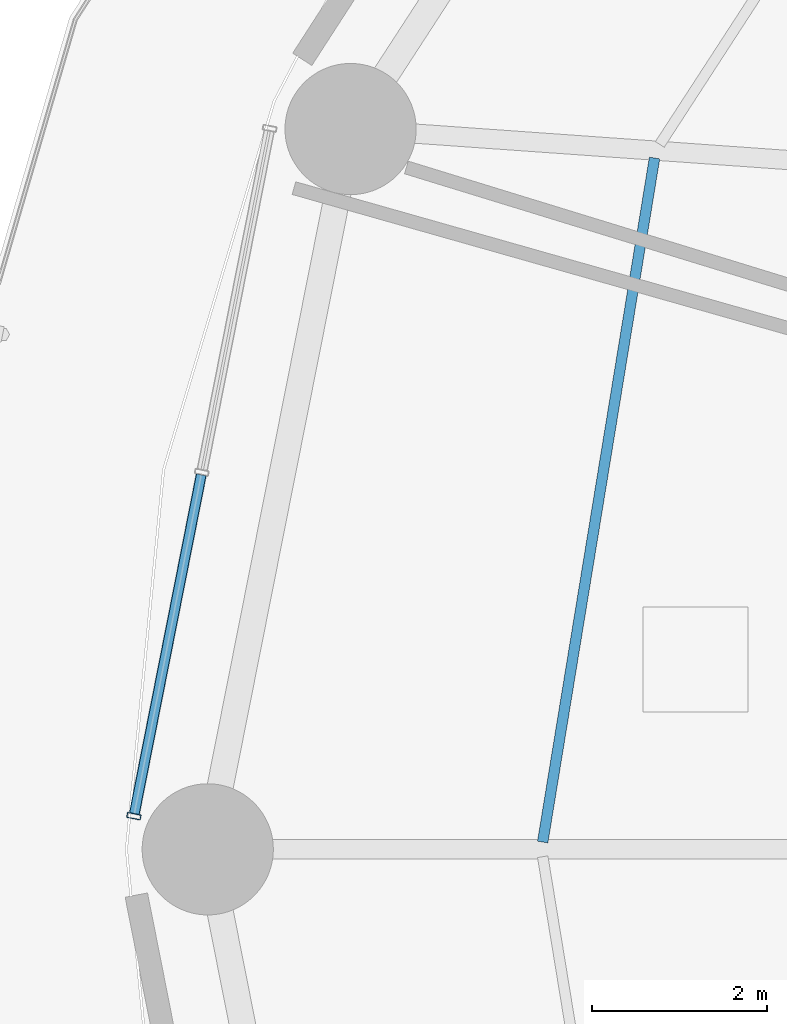
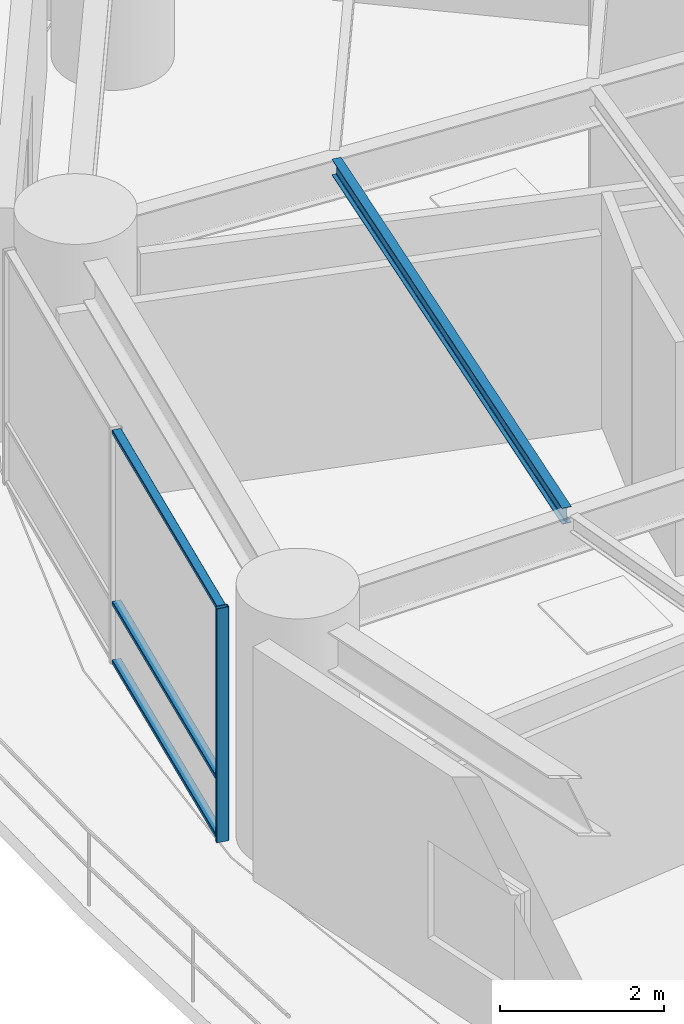
# One storey, part 6 of 32: 4 members, 1 beam, 1 element without a shape of its own.
"""IFC4 building model written with IfcOpenShell, lengths in metres."""

from ifc_helpers import new_model, si_unit, direction, frame, origin, origin_2d, place, context, subcontext, project, spatial, hollow_rectangle, i_section, extrude, material, layer, layer_set, material_profile, profile_set, type_object, element, aggregate, save


model = new_model("IFC4")

# Units and contexts
model_context = context("Model", 3, precision=1e-05, world=origin(), true_north=direction((0.0, 1.0)))
body_context = subcontext(model_context, "Body", "Model", "MODEL_VIEW")
ifc_project = project(units=[si_unit("LENGTHUNIT", "METRE"), si_unit("AREAUNIT", "SQUARE_METRE"), si_unit("VOLUMEUNIT", "CUBIC_METRE"), si_unit("PLANEANGLEUNIT", "RADIAN"), si_unit("MASSUNIT", "GRAM", prefix="KILO")], contexts=[model_context])

# Site, building, storey
site_placement = place(None, origin())
site = spatial("IfcSite", under=ifc_project, at=site_placement, CompositionType="ELEMENT")
building_placement = place(site_placement, origin())
building = spatial("IfcBuilding", under=site, at=building_placement, Name="Kelanora Arch Commons", CompositionType="ELEMENT")
storey_placement = place(building_placement, frame((0.0, 0.0, 48.75)))
storey = spatial("IfcBuildingStorey", under=building, at=storey_placement, Name="L12", CompositionType="ELEMENT", Elevation=48.75)

# Beam
ifc_material_1 = material(Name="Steel S355", Category="steel")
ifc_material_profile_1 = material_profile(ifc_material_1, i_section(OverallWidth=0.1201171875, OverallDepth=0.239990234375, WebThickness=0.006103515625, FlangeThickness=0.009765625, FilletRadius=0.014892578125, at=origin_2d()), Name="IPE240")
ifc_profile_set_1 = profile_set([ifc_material_profile_1], Name="Steel S355")
beam_type = type_object("IfcBeamType", Name="BM-JST-02", PredefinedType="JOIST", material=ifc_profile_set_1)
beam_placement = place(storey_placement, frame((52.02880859375, 65.90478515625, 3.3701171875), z_axis=(-0.161400737199, -0.986888951216, 0.0), x_axis=(0.986888951216, -0.161400737199, 0.0)))
element("IfcBeam", 1, at=beam_placement, inside=storey, type_object=beam_type, Name="Secondary Chord Joist BJC-16 L12", PredefinedType="JOIST", context=body_context, shape_type="SweptSolid", body=[
    extrude(i_section(OverallWidth=0.1201171875, OverallDepth=0.239990234375, WebThickness=0.006103515625, FlangeThickness=0.009765625, FilletRadius=0.014892578125, at=origin_2d()), origin(), (0.0, 0.0, 1.0), 7.9248046875),
])

# Curtain wall, members
ifc_material_2 = material(Name="Terracotta ceramic-fritted low-E glass and aluminium", Category="masonry")
ifc_layer = layer(ifc_material_2, 0.159912109375)
ifc_layer_set = layer_set([ifc_layer], Name="Terracotta ceramic-fritted low-E glass and aluminium")
curtain_wall_type = type_object("IfcCurtainWallType", Name="CW-SYS-01", PredefinedType="NOTDEFINED", material=ifc_layer_set)
curtain_wall_placement = place(storey_placement, origin())
curtain_wall = element("IfcCurtainWall", 2, at=curtain_wall_placement, inside=storey, type_object=curtain_wall_type, Name="Unitised Curtain Wall L12-B08", PredefinedType="NOTDEFINED")
ifc_material_3 = material(Name="Powder-coated aluminium terracotta", Category="masonry")
ifc_material_profile_2 = material_profile(ifc_material_3, hollow_rectangle(XDim=0.159912109375, YDim=0.06005859375, WallThickness=0.0048828125, InnerFilletRadius=0.0048828125, OuterFilletRadius=0.010009765625, at=origin_2d()), Name="CWM160x60")
ifc_profile_set_2 = profile_set([ifc_material_profile_2], Name="Powder-coated aluminium terracotta")
member_type_1 = type_object("IfcMemberType", Name="CWM-STD", PredefinedType="MULLION", material=ifc_profile_set_2)
member_1_placement = place(storey_placement, frame((46.074951171875, 58.379150390625, 0.0), z_axis=(0.0, 0.0, 1.0), x_axis=(0.981052110579, -0.193744048498, 0.0)))
member_1 = element("IfcMember", 3, at=member_1_placement, type_object=member_type_1, Name="CW-01 mullion 3", PredefinedType="MULLION", context=body_context, shape_type="SweptSolid", body=[
    extrude(hollow_rectangle(XDim=0.159912109375, YDim=0.06005859375, WallThickness=0.0048828125, InnerFilletRadius=0.0048828125, OuterFilletRadius=0.010009765625, at=origin_2d()), origin(), (0.0, 0.0, 1.0), 3.47509765625),
])
ifc_material_profile_3 = material_profile(ifc_material_3, hollow_rectangle(XDim=0.1201171875, YDim=0.06005859375, WallThickness=0.0048828125, InnerFilletRadius=0.0048828125, OuterFilletRadius=0.010009765625, at=origin_2d()), Name="CWT120x60")
ifc_profile_set_3 = profile_set([ifc_material_profile_3], Name="Powder-coated aluminium terracotta")
member_type_2 = type_object("IfcMemberType", Name="CWT-STD", PredefinedType="USERDEFINED", material=ifc_profile_set_3)
member_2_placement = place(storey_placement, frame((46.845703125, 62.281982421875, 0.030029296875), z_axis=(-0.193725436624, -0.98105578598, 0.0), x_axis=(0.98105578598, -0.193725436624, 0.0)))
member_2 = element("IfcMember", 4, at=member_2_placement, type_object=member_type_2, Name="CW-01 transom 2.1", ObjectType="TRANSOM", PredefinedType="USERDEFINED", context=body_context, shape_type="SweptSolid", body=[
    extrude(hollow_rectangle(XDim=0.1201171875, YDim=0.06005859375, WallThickness=0.0048828125, InnerFilletRadius=0.0048828125, OuterFilletRadius=0.010009765625, at=origin_2d()), origin(), (0.0, 0.0, 1.0), 3.9482421875),
])
member_3_placement = place(storey_placement, frame((46.845703125, 62.281982421875, 0.89990234375), z_axis=(-0.193725436624, -0.98105578598, 0.0), x_axis=(0.98105578598, -0.193725436624, 0.0)))
member_3 = element("IfcMember", 5, at=member_3_placement, type_object=member_type_2, Name="CW-01 transom 2.2", ObjectType="TRANSOM", PredefinedType="USERDEFINED", context=body_context, shape_type="SweptSolid", body=[
    extrude(hollow_rectangle(XDim=0.1201171875, YDim=0.06005859375, WallThickness=0.0048828125, InnerFilletRadius=0.0048828125, OuterFilletRadius=0.010009765625, at=origin_2d()), origin(), (0.0, 0.0, 1.0), 3.9482421875),
])
member_4_placement = place(storey_placement, frame((46.845703125, 62.281982421875, 3.445068359375), z_axis=(-0.193725436624, -0.98105578598, 0.0), x_axis=(0.98105578598, -0.193725436624, 0.0)))
member_4 = element("IfcMember", 6, at=member_4_placement, type_object=member_type_2, Name="CW-01 transom 2.3", ObjectType="TRANSOM", PredefinedType="USERDEFINED", context=body_context, shape_type="SweptSolid", body=[
    extrude(hollow_rectangle(XDim=0.1201171875, YDim=0.06005859375, WallThickness=0.0048828125, InnerFilletRadius=0.0048828125, OuterFilletRadius=0.010009765625, at=origin_2d()), origin(), (0.0, 0.0, 1.0), 3.9482421875),
])
aggregate(curtain_wall, [member_1, member_2, member_3, member_4])

save(model, "model.ifc")
